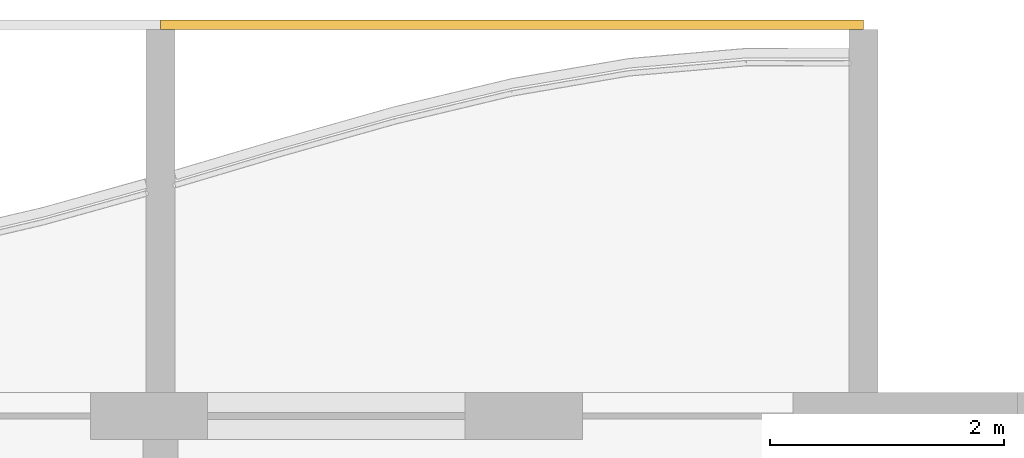
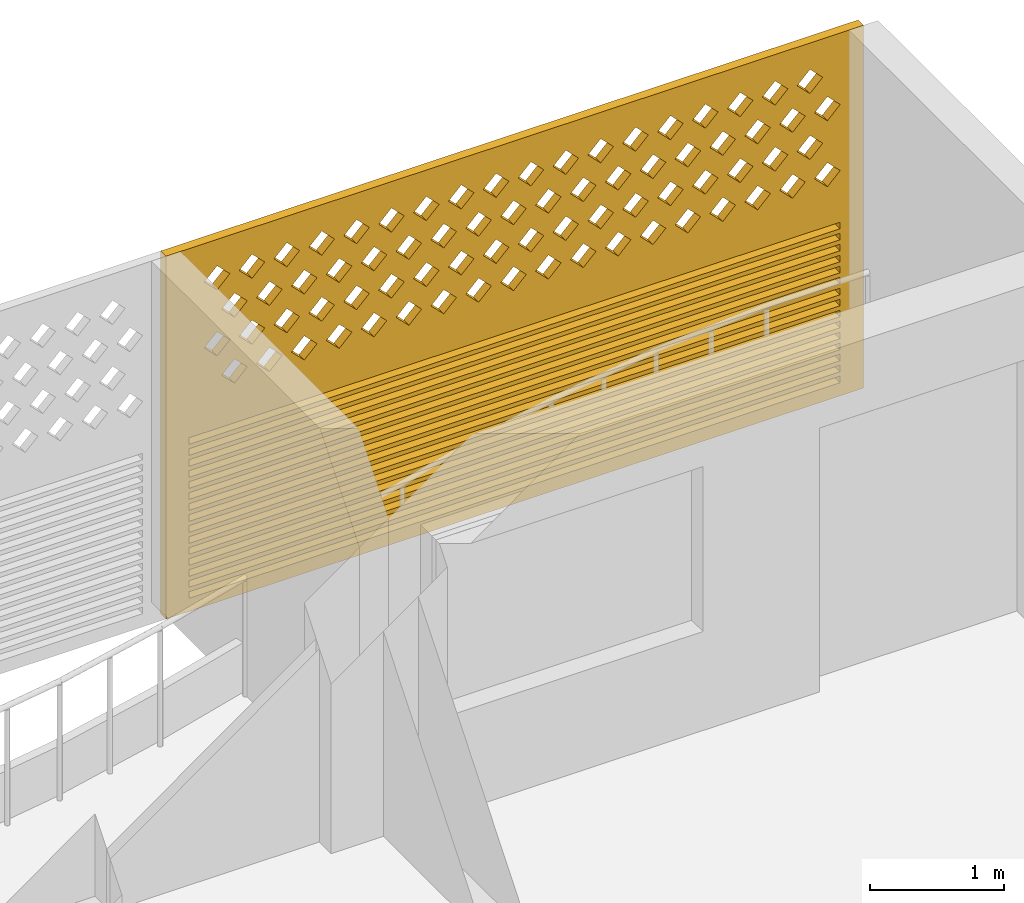
# One storey, part 33 of 33: 1 covering.
"""IFC4 building model written with IfcOpenShell, lengths in metres."""

from ifc_helpers import new_model, si_unit, direction, frame, origin, place, context, subcontext, project, spatial, polyline, outline, extrude, source, transform, mapped, material, material_profile, profile_set, type_object, element, save


model = new_model("IFC4")

# Units and contexts
model_context = context("Model", 3, precision=1e-05, world=origin(), true_north=direction((0.0, 1.0)))
body_context = subcontext(model_context, "Body", "Model", "MODEL_VIEW")
ifc_project = project(units=[si_unit("LENGTHUNIT", "METRE"), si_unit("AREAUNIT", "SQUARE_METRE"), si_unit("VOLUMEUNIT", "CUBIC_METRE"), si_unit("PLANEANGLEUNIT", "RADIAN"), si_unit("MASSUNIT", "GRAM", prefix="KILO")], contexts=[model_context])

# Site, building, storey
site_placement = place(None, origin())
site = spatial("IfcSite", under=ifc_project, at=site_placement, CompositionType="ELEMENT")
building_placement = place(site_placement, origin())
building = spatial("IfcBuilding", under=site, at=building_placement, Name="Poui Terraces", CompositionType="ELEMENT")
storey_placement = place(building_placement, frame((0.0, 0.0, 138.89990234375)))
storey = spatial("IfcBuildingStorey", under=building, at=storey_placement, Name="L38", CompositionType="ELEMENT", Elevation=138.89990234375)

# Covering
ifc_material = material(Name="Terracotta screen", Category="masonry")
ifc_material_profile = material_profile(ifc_material, outline(polyline([(-3.0, -1.64990234375), (3.0, -1.64990234375), (3.0, 1.64990234375), (-3.0, 1.64990234375), (-3.0, -1.64990234375)]), holes=[polyline([(-2.800048828125, 0.39990234375), (-2.68994140625, 0.2900390625), (-2.580078125, 0.39990234375), (-2.68994140625, 0.510009765625), (-2.800048828125, 0.39990234375)]), polyline([(-2.5, 0.39990234375), (-2.389892578125, 0.2900390625), (-2.280029296875, 0.39990234375), (-2.389892578125, 0.510009765625), (-2.5, 0.39990234375)]), polyline([(-2.199951171875, 0.39990234375), (-2.090087890625, 0.2900390625), (-1.97998046875, 0.39990234375), (-2.090087890625, 0.510009765625), (-2.199951171875, 0.39990234375)]), polyline([(-1.89990234375, 0.39990234375), (-1.7900390625, 0.2900390625), (-1.679931640625, 0.39990234375), (-1.7900390625, 0.510009765625), (-1.89990234375, 0.39990234375)]), polyline([(-1.60009765625, 0.39990234375), (-1.489990234375, 0.2900390625), (-1.3798828125, 0.39990234375), (-1.489990234375, 0.510009765625), (-1.60009765625, 0.39990234375)]), polyline([(-1.300048828125, 0.39990234375), (-1.18994140625, 0.2900390625), (-1.080078125, 0.39990234375), (-1.18994140625, 0.510009765625), (-1.300048828125, 0.39990234375)]), polyline([(-1.0, 0.39990234375), (-0.889892578125, 0.2900390625), (-0.780029296875, 0.39990234375), (-0.889892578125, 0.510009765625), (-1.0, 0.39990234375)]), polyline([(-0.699951171875, 0.39990234375), (-0.590087890625, 0.2900390625), (-0.47998046875, 0.39990234375), (-0.590087890625, 0.510009765625), (-0.699951171875, 0.39990234375)]), polyline([(-0.39990234375, 0.39990234375), (-0.2900390625, 0.2900390625), (-0.179931640625, 0.39990234375), (-0.2900390625, 0.510009765625), (-0.39990234375, 0.39990234375)]), polyline([(-0.10009765625, 0.39990234375), (0.010009765625, 0.2900390625), (0.1201171875, 0.39990234375), (0.010009765625, 0.510009765625), (-0.10009765625, 0.39990234375)]), polyline([(0.199951171875, 0.39990234375), (0.31005859375, 0.2900390625), (0.419921875, 0.39990234375), (0.31005859375, 0.510009765625), (0.199951171875, 0.39990234375)]), polyline([(0.5, 0.39990234375), (0.610107421875, 0.2900390625), (0.719970703125, 0.39990234375), (0.610107421875, 0.510009765625), (0.5, 0.39990234375)]), polyline([(0.800048828125, 0.39990234375), (0.909912109375, 0.2900390625), (1.02001953125, 0.39990234375), (0.909912109375, 0.510009765625), (0.800048828125, 0.39990234375)]), polyline([(1.10009765625, 0.39990234375), (1.2099609375, 0.2900390625), (1.320068359375, 0.39990234375), (1.2099609375, 0.510009765625), (1.10009765625, 0.39990234375)]), polyline([(1.39990234375, 0.39990234375), (1.510009765625, 0.2900390625), (1.6201171875, 0.39990234375), (1.510009765625, 0.510009765625), (1.39990234375, 0.39990234375)]), polyline([(1.699951171875, 0.39990234375), (1.81005859375, 0.2900390625), (1.919921875, 0.39990234375), (1.81005859375, 0.510009765625), (1.699951171875, 0.39990234375)]), polyline([(2.0, 0.39990234375), (2.110107421875, 0.2900390625), (2.219970703125, 0.39990234375), (2.110107421875, 0.510009765625), (2.0, 0.39990234375)]), polyline([(2.300048828125, 0.39990234375), (2.409912109375, 0.2900390625), (2.52001953125, 0.39990234375), (2.409912109375, 0.510009765625), (2.300048828125, 0.39990234375)]), polyline([(-2.64990234375, 0.699951171875), (-2.5400390625, 0.590087890625), (-2.429931640625, 0.699951171875), (-2.5400390625, 0.81005859375), (-2.64990234375, 0.699951171875)]), polyline([(-2.35009765625, 0.699951171875), (-2.239990234375, 0.590087890625), (-2.1298828125, 0.699951171875), (-2.239990234375, 0.81005859375), (-2.35009765625, 0.699951171875)]), polyline([(-2.050048828125, 0.699951171875), (-1.93994140625, 0.590087890625), (-1.830078125, 0.699951171875), (-1.93994140625, 0.81005859375), (-2.050048828125, 0.699951171875)]), polyline([(-1.75, 0.699951171875), (-1.639892578125, 0.590087890625), (-1.530029296875, 0.699951171875), (-1.639892578125, 0.81005859375), (-1.75, 0.699951171875)]), polyline([(-1.449951171875, 0.699951171875), (-1.340087890625, 0.590087890625), (-1.22998046875, 0.699951171875), (-1.340087890625, 0.81005859375), (-1.449951171875, 0.699951171875)]), polyline([(-1.14990234375, 0.699951171875), (-1.0400390625, 0.590087890625), (-0.929931640625, 0.699951171875), (-1.0400390625, 0.81005859375), (-1.14990234375, 0.699951171875)]), polyline([(-0.85009765625, 0.699951171875), (-0.739990234375, 0.590087890625), (-0.6298828125, 0.699951171875), (-0.739990234375, 0.81005859375), (-0.85009765625, 0.699951171875)]), polyline([(-0.550048828125, 0.699951171875), (-0.43994140625, 0.590087890625), (-0.330078125, 0.699951171875), (-0.43994140625, 0.81005859375), (-0.550048828125, 0.699951171875)]), polyline([(-0.25, 0.699951171875), (-0.139892578125, 0.590087890625), (-0.030029296875, 0.699951171875), (-0.139892578125, 0.81005859375), (-0.25, 0.699951171875)]), polyline([(0.050048828125, 0.699951171875), (0.159912109375, 0.590087890625), (0.27001953125, 0.699951171875), (0.159912109375, 0.81005859375), (0.050048828125, 0.699951171875)]), polyline([(0.35009765625, 0.699951171875), (0.4599609375, 0.590087890625), (0.570068359375, 0.699951171875), (0.4599609375, 0.81005859375), (0.35009765625, 0.699951171875)]), polyline([(0.64990234375, 0.699951171875), (0.760009765625, 0.590087890625), (0.8701171875, 0.699951171875), (0.760009765625, 0.81005859375), (0.64990234375, 0.699951171875)]), polyline([(0.949951171875, 0.699951171875), (1.06005859375, 0.590087890625), (1.169921875, 0.699951171875), (1.06005859375, 0.81005859375), (0.949951171875, 0.699951171875)]), polyline([(1.25, 0.699951171875), (1.360107421875, 0.590087890625), (1.469970703125, 0.699951171875), (1.360107421875, 0.81005859375), (1.25, 0.699951171875)]), polyline([(1.550048828125, 0.699951171875), (1.659912109375, 0.590087890625), (1.77001953125, 0.699951171875), (1.659912109375, 0.81005859375), (1.550048828125, 0.699951171875)]), polyline([(1.85009765625, 0.699951171875), (1.9599609375, 0.590087890625), (2.070068359375, 0.699951171875), (1.9599609375, 0.81005859375), (1.85009765625, 0.699951171875)]), polyline([(2.14990234375, 0.699951171875), (2.260009765625, 0.590087890625), (2.3701171875, 0.699951171875), (2.260009765625, 0.81005859375), (2.14990234375, 0.699951171875)]), polyline([(2.449951171875, 0.699951171875), (2.56005859375, 0.590087890625), (2.669921875, 0.699951171875), (2.56005859375, 0.81005859375), (2.449951171875, 0.699951171875)]), polyline([(-2.800048828125, 1.0), (-2.68994140625, 0.889892578125), (-2.580078125, 1.0), (-2.68994140625, 1.110107421875), (-2.800048828125, 1.0)]), polyline([(-2.5, 1.0), (-2.389892578125, 0.889892578125), (-2.280029296875, 1.0), (-2.389892578125, 1.110107421875), (-2.5, 1.0)]), polyline([(-2.199951171875, 1.0), (-2.090087890625, 0.889892578125), (-1.97998046875, 1.0), (-2.090087890625, 1.110107421875), (-2.199951171875, 1.0)]), polyline([(-1.89990234375, 1.0), (-1.7900390625, 0.889892578125), (-1.679931640625, 1.0), (-1.7900390625, 1.110107421875), (-1.89990234375, 1.0)]), polyline([(-1.60009765625, 1.0), (-1.489990234375, 0.889892578125), (-1.3798828125, 1.0), (-1.489990234375, 1.110107421875), (-1.60009765625, 1.0)]), polyline([(-1.300048828125, 1.0), (-1.18994140625, 0.889892578125), (-1.080078125, 1.0), (-1.18994140625, 1.110107421875), (-1.300048828125, 1.0)]), polyline([(-1.0, 1.0), (-0.889892578125, 0.889892578125), (-0.780029296875, 1.0), (-0.889892578125, 1.110107421875), (-1.0, 1.0)]), polyline([(-0.699951171875, 1.0), (-0.590087890625, 0.889892578125), (-0.47998046875, 1.0), (-0.590087890625, 1.110107421875), (-0.699951171875, 1.0)]), polyline([(-0.39990234375, 1.0), (-0.2900390625, 0.889892578125), (-0.179931640625, 1.0), (-0.2900390625, 1.110107421875), (-0.39990234375, 1.0)]), polyline([(-0.10009765625, 1.0), (0.010009765625, 0.889892578125), (0.1201171875, 1.0), (0.010009765625, 1.110107421875), (-0.10009765625, 1.0)]), polyline([(0.199951171875, 1.0), (0.31005859375, 0.889892578125), (0.419921875, 1.0), (0.31005859375, 1.110107421875), (0.199951171875, 1.0)]), polyline([(0.5, 1.0), (0.610107421875, 0.889892578125), (0.719970703125, 1.0), (0.610107421875, 1.110107421875), (0.5, 1.0)]), polyline([(0.800048828125, 1.0), (0.909912109375, 0.889892578125), (1.02001953125, 1.0), (0.909912109375, 1.110107421875), (0.800048828125, 1.0)]), polyline([(1.10009765625, 1.0), (1.2099609375, 0.889892578125), (1.320068359375, 1.0), (1.2099609375, 1.110107421875), (1.10009765625, 1.0)]), polyline([(1.39990234375, 1.0), (1.510009765625, 0.889892578125), (1.6201171875, 1.0), (1.510009765625, 1.110107421875), (1.39990234375, 1.0)]), polyline([(1.699951171875, 1.0), (1.81005859375, 0.889892578125), (1.919921875, 1.0), (1.81005859375, 1.110107421875), (1.699951171875, 1.0)]), polyline([(2.0, 1.0), (2.110107421875, 0.889892578125), (2.219970703125, 1.0), (2.110107421875, 1.110107421875), (2.0, 1.0)]), polyline([(2.300048828125, 1.0), (2.409912109375, 0.889892578125), (2.52001953125, 1.0), (2.409912109375, 1.110107421875), (2.300048828125, 1.0)]), polyline([(-2.64990234375, 1.300048828125), (-2.5400390625, 1.18994140625), (-2.429931640625, 1.300048828125), (-2.5400390625, 1.409912109375), (-2.64990234375, 1.300048828125)]), polyline([(-2.35009765625, 1.300048828125), (-2.239990234375, 1.18994140625), (-2.1298828125, 1.300048828125), (-2.239990234375, 1.409912109375), (-2.35009765625, 1.300048828125)]), polyline([(-2.050048828125, 1.300048828125), (-1.93994140625, 1.18994140625), (-1.830078125, 1.300048828125), (-1.93994140625, 1.409912109375), (-2.050048828125, 1.300048828125)]), polyline([(-1.75, 1.300048828125), (-1.639892578125, 1.18994140625), (-1.530029296875, 1.300048828125), (-1.639892578125, 1.409912109375), (-1.75, 1.300048828125)]), polyline([(-1.449951171875, 1.300048828125), (-1.340087890625, 1.18994140625), (-1.22998046875, 1.300048828125), (-1.340087890625, 1.409912109375), (-1.449951171875, 1.300048828125)]), polyline([(-1.14990234375, 1.300048828125), (-1.0400390625, 1.18994140625), (-0.929931640625, 1.300048828125), (-1.0400390625, 1.409912109375), (-1.14990234375, 1.300048828125)]), polyline([(-0.85009765625, 1.300048828125), (-0.739990234375, 1.18994140625), (-0.6298828125, 1.300048828125), (-0.739990234375, 1.409912109375), (-0.85009765625, 1.300048828125)]), polyline([(-0.550048828125, 1.300048828125), (-0.43994140625, 1.18994140625), (-0.330078125, 1.300048828125), (-0.43994140625, 1.409912109375), (-0.550048828125, 1.300048828125)]), polyline([(-0.25, 1.300048828125), (-0.139892578125, 1.18994140625), (-0.030029296875, 1.300048828125), (-0.139892578125, 1.409912109375), (-0.25, 1.300048828125)]), polyline([(0.050048828125, 1.300048828125), (0.159912109375, 1.18994140625), (0.27001953125, 1.300048828125), (0.159912109375, 1.409912109375), (0.050048828125, 1.300048828125)]), polyline([(0.35009765625, 1.300048828125), (0.4599609375, 1.18994140625), (0.570068359375, 1.300048828125), (0.4599609375, 1.409912109375), (0.35009765625, 1.300048828125)]), polyline([(0.64990234375, 1.300048828125), (0.760009765625, 1.18994140625), (0.8701171875, 1.300048828125), (0.760009765625, 1.409912109375), (0.64990234375, 1.300048828125)]), polyline([(0.949951171875, 1.300048828125), (1.06005859375, 1.18994140625), (1.169921875, 1.300048828125), (1.06005859375, 1.409912109375), (0.949951171875, 1.300048828125)]), polyline([(1.25, 1.300048828125), (1.360107421875, 1.18994140625), (1.469970703125, 1.300048828125), (1.360107421875, 1.409912109375), (1.25, 1.300048828125)]), polyline([(1.550048828125, 1.300048828125), (1.659912109375, 1.18994140625), (1.77001953125, 1.300048828125), (1.659912109375, 1.409912109375), (1.550048828125, 1.300048828125)]), polyline([(1.85009765625, 1.300048828125), (1.9599609375, 1.18994140625), (2.070068359375, 1.300048828125), (1.9599609375, 1.409912109375), (1.85009765625, 1.300048828125)]), polyline([(2.14990234375, 1.300048828125), (2.260009765625, 1.18994140625), (2.3701171875, 1.300048828125), (2.260009765625, 1.409912109375), (2.14990234375, 1.300048828125)]), polyline([(2.449951171875, 1.300048828125), (2.56005859375, 1.18994140625), (2.669921875, 1.300048828125), (2.56005859375, 1.409912109375), (2.449951171875, 1.300048828125)]), polyline([(-2.800048828125, -1.530029296875), (2.800048828125, -1.530029296875), (2.800048828125, -1.469970703125), (-2.800048828125, -1.469970703125), (-2.800048828125, -1.530029296875)]), polyline([(-2.800048828125, -1.429931640625), (2.800048828125, -1.429931640625), (2.800048828125, -1.3701171875), (-2.800048828125, -1.3701171875), (-2.800048828125, -1.429931640625)]), polyline([(-2.800048828125, -1.330078125), (2.800048828125, -1.330078125), (2.800048828125, -1.27001953125), (-2.800048828125, -1.27001953125), (-2.800048828125, -1.330078125)]), polyline([(-2.800048828125, -1.22998046875), (2.800048828125, -1.22998046875), (2.800048828125, -1.169921875), (-2.800048828125, -1.169921875), (-2.800048828125, -1.22998046875)]), polyline([(-2.800048828125, -1.1298828125), (2.800048828125, -1.1298828125), (2.800048828125, -1.070068359375), (-2.800048828125, -1.070068359375), (-2.800048828125, -1.1298828125)]), polyline([(-2.800048828125, -1.030029296875), (2.800048828125, -1.030029296875), (2.800048828125, -0.969970703125), (-2.800048828125, -0.969970703125), (-2.800048828125, -1.030029296875)]), polyline([(-2.800048828125, -0.929931640625), (2.800048828125, -0.929931640625), (2.800048828125, -0.8701171875), (-2.800048828125, -0.8701171875), (-2.800048828125, -0.929931640625)]), polyline([(-2.800048828125, -0.830078125), (2.800048828125, -0.830078125), (2.800048828125, -0.77001953125), (-2.800048828125, -0.77001953125), (-2.800048828125, -0.830078125)]), polyline([(-2.800048828125, -0.72998046875), (2.800048828125, -0.72998046875), (2.800048828125, -0.669921875), (-2.800048828125, -0.669921875), (-2.800048828125, -0.72998046875)]), polyline([(-2.800048828125, -0.6298828125), (2.800048828125, -0.6298828125), (2.800048828125, -0.570068359375), (-2.800048828125, -0.570068359375), (-2.800048828125, -0.6298828125)]), polyline([(-2.800048828125, -0.530029296875), (2.800048828125, -0.530029296875), (2.800048828125, -0.469970703125), (-2.800048828125, -0.469970703125), (-2.800048828125, -0.530029296875)]), polyline([(-2.800048828125, -0.429931640625), (2.800048828125, -0.429931640625), (2.800048828125, -0.3701171875), (-2.800048828125, -0.3701171875), (-2.800048828125, -0.429931640625)]), polyline([(-2.800048828125, -0.330078125), (2.800048828125, -0.330078125), (2.800048828125, -0.27001953125), (-2.800048828125, -0.27001953125), (-2.800048828125, -0.330078125)]), polyline([(-2.800048828125, -0.22998046875), (2.800048828125, -0.22998046875), (2.800048828125, -0.169921875), (-2.800048828125, -0.169921875), (-2.800048828125, -0.22998046875)]), polyline([(-2.800048828125, -0.1298828125), (2.800048828125, -0.1298828125), (2.800048828125, -0.070068359375), (-2.800048828125, -0.070068359375), (-2.800048828125, -0.1298828125)])]), Name="TERRACOTTA SCREEN AND JALOUSIE LOUVRE 6000X3300")
ifc_profile_set = profile_set([ifc_material_profile], Name="Terracotta screen")
covering_type = type_object("IfcCoveringType", Name="TERRACOTTA SCREEN AND JALOUSIE LOUVRE 6000X3300", PredefinedType="CLADDING", material=ifc_profile_set)
shared_shape = source(origin(), body_context, "Body", "SweptSolid", [
    extrude(outline(polyline([(-3.0, -1.64990234375), (3.0, -1.64990234375), (3.0, 1.64990234375), (-3.0, 1.64990234375), (-3.0, -1.64990234375)]), holes=[polyline([(-2.800048828125, 0.39990234375), (-2.68994140625, 0.2900390625), (-2.580078125, 0.39990234375), (-2.68994140625, 0.510009765625), (-2.800048828125, 0.39990234375)]), polyline([(-2.5, 0.39990234375), (-2.389892578125, 0.2900390625), (-2.280029296875, 0.39990234375), (-2.389892578125, 0.510009765625), (-2.5, 0.39990234375)]), polyline([(-2.199951171875, 0.39990234375), (-2.090087890625, 0.2900390625), (-1.97998046875, 0.39990234375), (-2.090087890625, 0.510009765625), (-2.199951171875, 0.39990234375)]), polyline([(-1.89990234375, 0.39990234375), (-1.7900390625, 0.2900390625), (-1.679931640625, 0.39990234375), (-1.7900390625, 0.510009765625), (-1.89990234375, 0.39990234375)]), polyline([(-1.60009765625, 0.39990234375), (-1.489990234375, 0.2900390625), (-1.3798828125, 0.39990234375), (-1.489990234375, 0.510009765625), (-1.60009765625, 0.39990234375)]), polyline([(-1.300048828125, 0.39990234375), (-1.18994140625, 0.2900390625), (-1.080078125, 0.39990234375), (-1.18994140625, 0.510009765625), (-1.300048828125, 0.39990234375)]), polyline([(-1.0, 0.39990234375), (-0.889892578125, 0.2900390625), (-0.780029296875, 0.39990234375), (-0.889892578125, 0.510009765625), (-1.0, 0.39990234375)]), polyline([(-0.699951171875, 0.39990234375), (-0.590087890625, 0.2900390625), (-0.47998046875, 0.39990234375), (-0.590087890625, 0.510009765625), (-0.699951171875, 0.39990234375)]), polyline([(-0.39990234375, 0.39990234375), (-0.2900390625, 0.2900390625), (-0.179931640625, 0.39990234375), (-0.2900390625, 0.510009765625), (-0.39990234375, 0.39990234375)]), polyline([(-0.10009765625, 0.39990234375), (0.010009765625, 0.2900390625), (0.1201171875, 0.39990234375), (0.010009765625, 0.510009765625), (-0.10009765625, 0.39990234375)]), polyline([(0.199951171875, 0.39990234375), (0.31005859375, 0.2900390625), (0.419921875, 0.39990234375), (0.31005859375, 0.510009765625), (0.199951171875, 0.39990234375)]), polyline([(0.5, 0.39990234375), (0.610107421875, 0.2900390625), (0.719970703125, 0.39990234375), (0.610107421875, 0.510009765625), (0.5, 0.39990234375)]), polyline([(0.800048828125, 0.39990234375), (0.909912109375, 0.2900390625), (1.02001953125, 0.39990234375), (0.909912109375, 0.510009765625), (0.800048828125, 0.39990234375)]), polyline([(1.10009765625, 0.39990234375), (1.2099609375, 0.2900390625), (1.320068359375, 0.39990234375), (1.2099609375, 0.510009765625), (1.10009765625, 0.39990234375)]), polyline([(1.39990234375, 0.39990234375), (1.510009765625, 0.2900390625), (1.6201171875, 0.39990234375), (1.510009765625, 0.510009765625), (1.39990234375, 0.39990234375)]), polyline([(1.699951171875, 0.39990234375), (1.81005859375, 0.2900390625), (1.919921875, 0.39990234375), (1.81005859375, 0.510009765625), (1.699951171875, 0.39990234375)]), polyline([(2.0, 0.39990234375), (2.110107421875, 0.2900390625), (2.219970703125, 0.39990234375), (2.110107421875, 0.510009765625), (2.0, 0.39990234375)]), polyline([(2.300048828125, 0.39990234375), (2.409912109375, 0.2900390625), (2.52001953125, 0.39990234375), (2.409912109375, 0.510009765625), (2.300048828125, 0.39990234375)]), polyline([(-2.64990234375, 0.699951171875), (-2.5400390625, 0.590087890625), (-2.429931640625, 0.699951171875), (-2.5400390625, 0.81005859375), (-2.64990234375, 0.699951171875)]), polyline([(-2.35009765625, 0.699951171875), (-2.239990234375, 0.590087890625), (-2.1298828125, 0.699951171875), (-2.239990234375, 0.81005859375), (-2.35009765625, 0.699951171875)]), polyline([(-2.050048828125, 0.699951171875), (-1.93994140625, 0.590087890625), (-1.830078125, 0.699951171875), (-1.93994140625, 0.81005859375), (-2.050048828125, 0.699951171875)]), polyline([(-1.75, 0.699951171875), (-1.639892578125, 0.590087890625), (-1.530029296875, 0.699951171875), (-1.639892578125, 0.81005859375), (-1.75, 0.699951171875)]), polyline([(-1.449951171875, 0.699951171875), (-1.340087890625, 0.590087890625), (-1.22998046875, 0.699951171875), (-1.340087890625, 0.81005859375), (-1.449951171875, 0.699951171875)]), polyline([(-1.14990234375, 0.699951171875), (-1.0400390625, 0.590087890625), (-0.929931640625, 0.699951171875), (-1.0400390625, 0.81005859375), (-1.14990234375, 0.699951171875)]), polyline([(-0.85009765625, 0.699951171875), (-0.739990234375, 0.590087890625), (-0.6298828125, 0.699951171875), (-0.739990234375, 0.81005859375), (-0.85009765625, 0.699951171875)]), polyline([(-0.550048828125, 0.699951171875), (-0.43994140625, 0.590087890625), (-0.330078125, 0.699951171875), (-0.43994140625, 0.81005859375), (-0.550048828125, 0.699951171875)]), polyline([(-0.25, 0.699951171875), (-0.139892578125, 0.590087890625), (-0.030029296875, 0.699951171875), (-0.139892578125, 0.81005859375), (-0.25, 0.699951171875)]), polyline([(0.050048828125, 0.699951171875), (0.159912109375, 0.590087890625), (0.27001953125, 0.699951171875), (0.159912109375, 0.81005859375), (0.050048828125, 0.699951171875)]), polyline([(0.35009765625, 0.699951171875), (0.4599609375, 0.590087890625), (0.570068359375, 0.699951171875), (0.4599609375, 0.81005859375), (0.35009765625, 0.699951171875)]), polyline([(0.64990234375, 0.699951171875), (0.760009765625, 0.590087890625), (0.8701171875, 0.699951171875), (0.760009765625, 0.81005859375), (0.64990234375, 0.699951171875)]), polyline([(0.949951171875, 0.699951171875), (1.06005859375, 0.590087890625), (1.169921875, 0.699951171875), (1.06005859375, 0.81005859375), (0.949951171875, 0.699951171875)]), polyline([(1.25, 0.699951171875), (1.360107421875, 0.590087890625), (1.469970703125, 0.699951171875), (1.360107421875, 0.81005859375), (1.25, 0.699951171875)]), polyline([(1.550048828125, 0.699951171875), (1.659912109375, 0.590087890625), (1.77001953125, 0.699951171875), (1.659912109375, 0.81005859375), (1.550048828125, 0.699951171875)]), polyline([(1.85009765625, 0.699951171875), (1.9599609375, 0.590087890625), (2.070068359375, 0.699951171875), (1.9599609375, 0.81005859375), (1.85009765625, 0.699951171875)]), polyline([(2.14990234375, 0.699951171875), (2.260009765625, 0.590087890625), (2.3701171875, 0.699951171875), (2.260009765625, 0.81005859375), (2.14990234375, 0.699951171875)]), polyline([(2.449951171875, 0.699951171875), (2.56005859375, 0.590087890625), (2.669921875, 0.699951171875), (2.56005859375, 0.81005859375), (2.449951171875, 0.699951171875)]), polyline([(-2.800048828125, 1.0), (-2.68994140625, 0.889892578125), (-2.580078125, 1.0), (-2.68994140625, 1.110107421875), (-2.800048828125, 1.0)]), polyline([(-2.5, 1.0), (-2.389892578125, 0.889892578125), (-2.280029296875, 1.0), (-2.389892578125, 1.110107421875), (-2.5, 1.0)]), polyline([(-2.199951171875, 1.0), (-2.090087890625, 0.889892578125), (-1.97998046875, 1.0), (-2.090087890625, 1.110107421875), (-2.199951171875, 1.0)]), polyline([(-1.89990234375, 1.0), (-1.7900390625, 0.889892578125), (-1.679931640625, 1.0), (-1.7900390625, 1.110107421875), (-1.89990234375, 1.0)]), polyline([(-1.60009765625, 1.0), (-1.489990234375, 0.889892578125), (-1.3798828125, 1.0), (-1.489990234375, 1.110107421875), (-1.60009765625, 1.0)]), polyline([(-1.300048828125, 1.0), (-1.18994140625, 0.889892578125), (-1.080078125, 1.0), (-1.18994140625, 1.110107421875), (-1.300048828125, 1.0)]), polyline([(-1.0, 1.0), (-0.889892578125, 0.889892578125), (-0.780029296875, 1.0), (-0.889892578125, 1.110107421875), (-1.0, 1.0)]), polyline([(-0.699951171875, 1.0), (-0.590087890625, 0.889892578125), (-0.47998046875, 1.0), (-0.590087890625, 1.110107421875), (-0.699951171875, 1.0)]), polyline([(-0.39990234375, 1.0), (-0.2900390625, 0.889892578125), (-0.179931640625, 1.0), (-0.2900390625, 1.110107421875), (-0.39990234375, 1.0)]), polyline([(-0.10009765625, 1.0), (0.010009765625, 0.889892578125), (0.1201171875, 1.0), (0.010009765625, 1.110107421875), (-0.10009765625, 1.0)]), polyline([(0.199951171875, 1.0), (0.31005859375, 0.889892578125), (0.419921875, 1.0), (0.31005859375, 1.110107421875), (0.199951171875, 1.0)]), polyline([(0.5, 1.0), (0.610107421875, 0.889892578125), (0.719970703125, 1.0), (0.610107421875, 1.110107421875), (0.5, 1.0)]), polyline([(0.800048828125, 1.0), (0.909912109375, 0.889892578125), (1.02001953125, 1.0), (0.909912109375, 1.110107421875), (0.800048828125, 1.0)]), polyline([(1.10009765625, 1.0), (1.2099609375, 0.889892578125), (1.320068359375, 1.0), (1.2099609375, 1.110107421875), (1.10009765625, 1.0)]), polyline([(1.39990234375, 1.0), (1.510009765625, 0.889892578125), (1.6201171875, 1.0), (1.510009765625, 1.110107421875), (1.39990234375, 1.0)]), polyline([(1.699951171875, 1.0), (1.81005859375, 0.889892578125), (1.919921875, 1.0), (1.81005859375, 1.110107421875), (1.699951171875, 1.0)]), polyline([(2.0, 1.0), (2.110107421875, 0.889892578125), (2.219970703125, 1.0), (2.110107421875, 1.110107421875), (2.0, 1.0)]), polyline([(2.300048828125, 1.0), (2.409912109375, 0.889892578125), (2.52001953125, 1.0), (2.409912109375, 1.110107421875), (2.300048828125, 1.0)]), polyline([(-2.64990234375, 1.300048828125), (-2.5400390625, 1.18994140625), (-2.429931640625, 1.300048828125), (-2.5400390625, 1.409912109375), (-2.64990234375, 1.300048828125)]), polyline([(-2.35009765625, 1.300048828125), (-2.239990234375, 1.18994140625), (-2.1298828125, 1.300048828125), (-2.239990234375, 1.409912109375), (-2.35009765625, 1.300048828125)]), polyline([(-2.050048828125, 1.300048828125), (-1.93994140625, 1.18994140625), (-1.830078125, 1.300048828125), (-1.93994140625, 1.409912109375), (-2.050048828125, 1.300048828125)]), polyline([(-1.75, 1.300048828125), (-1.639892578125, 1.18994140625), (-1.530029296875, 1.300048828125), (-1.639892578125, 1.409912109375), (-1.75, 1.300048828125)]), polyline([(-1.449951171875, 1.300048828125), (-1.340087890625, 1.18994140625), (-1.22998046875, 1.300048828125), (-1.340087890625, 1.409912109375), (-1.449951171875, 1.300048828125)]), polyline([(-1.14990234375, 1.300048828125), (-1.0400390625, 1.18994140625), (-0.929931640625, 1.300048828125), (-1.0400390625, 1.409912109375), (-1.14990234375, 1.300048828125)]), polyline([(-0.85009765625, 1.300048828125), (-0.739990234375, 1.18994140625), (-0.6298828125, 1.300048828125), (-0.739990234375, 1.409912109375), (-0.85009765625, 1.300048828125)]), polyline([(-0.550048828125, 1.300048828125), (-0.43994140625, 1.18994140625), (-0.330078125, 1.300048828125), (-0.43994140625, 1.409912109375), (-0.550048828125, 1.300048828125)]), polyline([(-0.25, 1.300048828125), (-0.139892578125, 1.18994140625), (-0.030029296875, 1.300048828125), (-0.139892578125, 1.409912109375), (-0.25, 1.300048828125)]), polyline([(0.050048828125, 1.300048828125), (0.159912109375, 1.18994140625), (0.27001953125, 1.300048828125), (0.159912109375, 1.409912109375), (0.050048828125, 1.300048828125)]), polyline([(0.35009765625, 1.300048828125), (0.4599609375, 1.18994140625), (0.570068359375, 1.300048828125), (0.4599609375, 1.409912109375), (0.35009765625, 1.300048828125)]), polyline([(0.64990234375, 1.300048828125), (0.760009765625, 1.18994140625), (0.8701171875, 1.300048828125), (0.760009765625, 1.409912109375), (0.64990234375, 1.300048828125)]), polyline([(0.949951171875, 1.300048828125), (1.06005859375, 1.18994140625), (1.169921875, 1.300048828125), (1.06005859375, 1.409912109375), (0.949951171875, 1.300048828125)]), polyline([(1.25, 1.300048828125), (1.360107421875, 1.18994140625), (1.469970703125, 1.300048828125), (1.360107421875, 1.409912109375), (1.25, 1.300048828125)]), polyline([(1.550048828125, 1.300048828125), (1.659912109375, 1.18994140625), (1.77001953125, 1.300048828125), (1.659912109375, 1.409912109375), (1.550048828125, 1.300048828125)]), polyline([(1.85009765625, 1.300048828125), (1.9599609375, 1.18994140625), (2.070068359375, 1.300048828125), (1.9599609375, 1.409912109375), (1.85009765625, 1.300048828125)]), polyline([(2.14990234375, 1.300048828125), (2.260009765625, 1.18994140625), (2.3701171875, 1.300048828125), (2.260009765625, 1.409912109375), (2.14990234375, 1.300048828125)]), polyline([(2.449951171875, 1.300048828125), (2.56005859375, 1.18994140625), (2.669921875, 1.300048828125), (2.56005859375, 1.409912109375), (2.449951171875, 1.300048828125)]), polyline([(-2.800048828125, -1.530029296875), (2.800048828125, -1.530029296875), (2.800048828125, -1.469970703125), (-2.800048828125, -1.469970703125), (-2.800048828125, -1.530029296875)]), polyline([(-2.800048828125, -1.429931640625), (2.800048828125, -1.429931640625), (2.800048828125, -1.3701171875), (-2.800048828125, -1.3701171875), (-2.800048828125, -1.429931640625)]), polyline([(-2.800048828125, -1.330078125), (2.800048828125, -1.330078125), (2.800048828125, -1.27001953125), (-2.800048828125, -1.27001953125), (-2.800048828125, -1.330078125)]), polyline([(-2.800048828125, -1.22998046875), (2.800048828125, -1.22998046875), (2.800048828125, -1.169921875), (-2.800048828125, -1.169921875), (-2.800048828125, -1.22998046875)]), polyline([(-2.800048828125, -1.1298828125), (2.800048828125, -1.1298828125), (2.800048828125, -1.070068359375), (-2.800048828125, -1.070068359375), (-2.800048828125, -1.1298828125)]), polyline([(-2.800048828125, -1.030029296875), (2.800048828125, -1.030029296875), (2.800048828125, -0.969970703125), (-2.800048828125, -0.969970703125), (-2.800048828125, -1.030029296875)]), polyline([(-2.800048828125, -0.929931640625), (2.800048828125, -0.929931640625), (2.800048828125, -0.8701171875), (-2.800048828125, -0.8701171875), (-2.800048828125, -0.929931640625)]), polyline([(-2.800048828125, -0.830078125), (2.800048828125, -0.830078125), (2.800048828125, -0.77001953125), (-2.800048828125, -0.77001953125), (-2.800048828125, -0.830078125)]), polyline([(-2.800048828125, -0.72998046875), (2.800048828125, -0.72998046875), (2.800048828125, -0.669921875), (-2.800048828125, -0.669921875), (-2.800048828125, -0.72998046875)]), polyline([(-2.800048828125, -0.6298828125), (2.800048828125, -0.6298828125), (2.800048828125, -0.570068359375), (-2.800048828125, -0.570068359375), (-2.800048828125, -0.6298828125)]), polyline([(-2.800048828125, -0.530029296875), (2.800048828125, -0.530029296875), (2.800048828125, -0.469970703125), (-2.800048828125, -0.469970703125), (-2.800048828125, -0.530029296875)]), polyline([(-2.800048828125, -0.429931640625), (2.800048828125, -0.429931640625), (2.800048828125, -0.3701171875), (-2.800048828125, -0.3701171875), (-2.800048828125, -0.429931640625)]), polyline([(-2.800048828125, -0.330078125), (2.800048828125, -0.330078125), (2.800048828125, -0.27001953125), (-2.800048828125, -0.27001953125), (-2.800048828125, -0.330078125)]), polyline([(-2.800048828125, -0.22998046875), (2.800048828125, -0.22998046875), (2.800048828125, -0.169921875), (-2.800048828125, -0.169921875), (-2.800048828125, -0.22998046875)]), polyline([(-2.800048828125, -0.1298828125), (2.800048828125, -0.1298828125), (2.800048828125, -0.070068359375), (-2.800048828125, -0.070068359375), (-2.800048828125, -0.1298828125)])]), origin(), (0.0, 0.0, 1.0), 0.080078125),
])
covering_placement = place(storey_placement, frame((81.0, 45.699951171875, 1.4501953125), z_axis=(0.0, 1.0, 0.0), x_axis=(-1.0, 0.0, 0.0)))
element("IfcCovering", 1, at=covering_placement, inside=storey, type_object=covering_type, Name="SOLAR SCREEN AND JALOUSIE LOUVRE", PredefinedType="CLADDING", context=body_context, shape_type="MappedRepresentation", body=[
    mapped(shared_shape, transform((0.0, 0.0, 0.0))),
])

save(model, "model.ifc")
